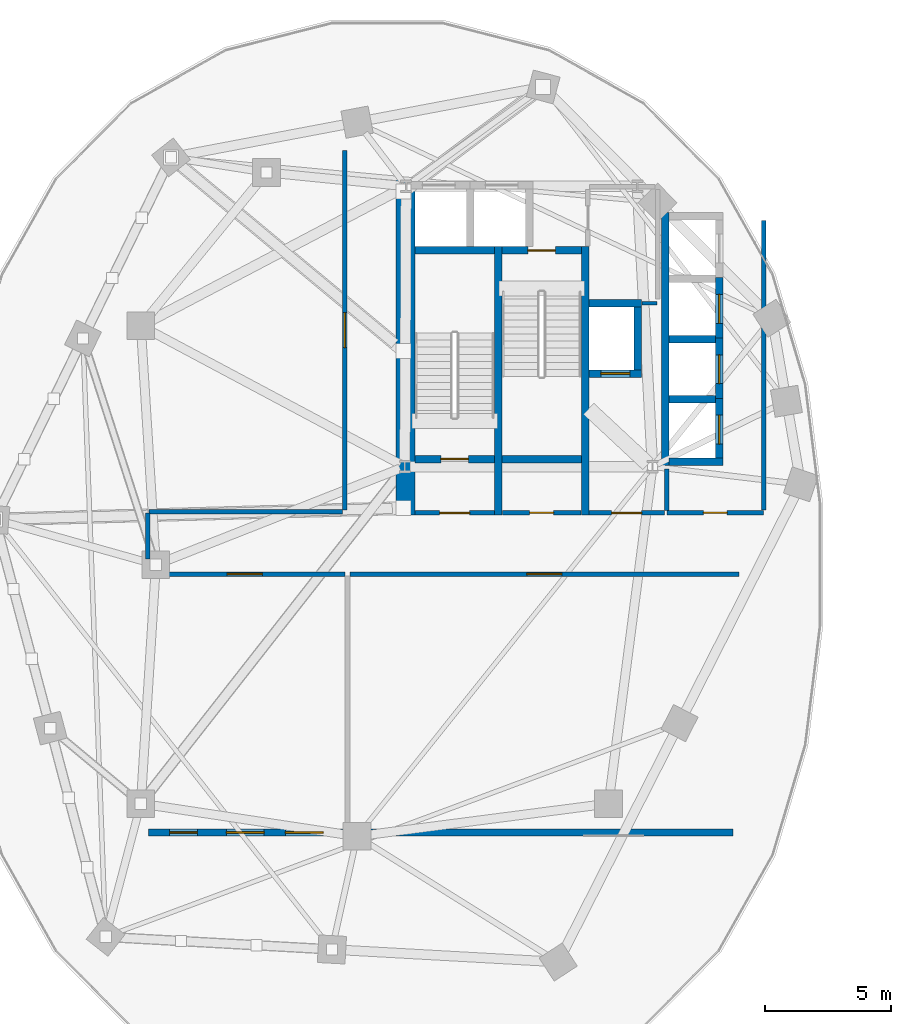
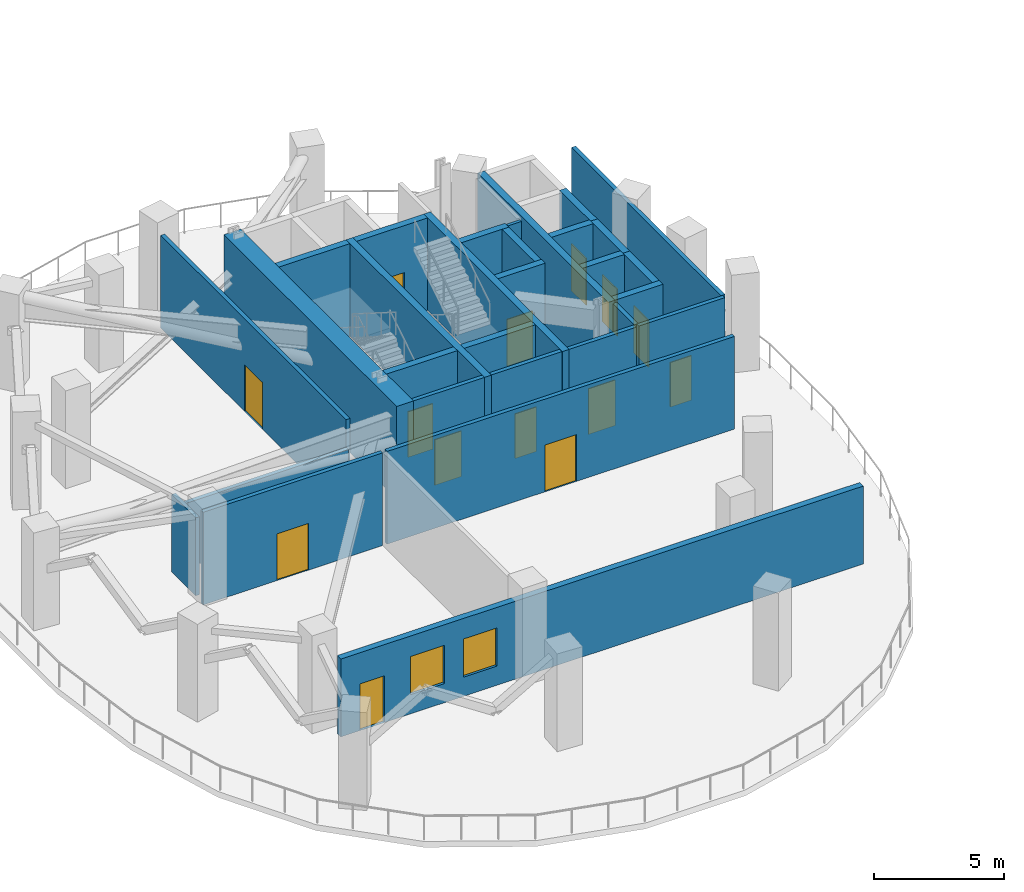
# One storey, part 5 of 12: 30 walls, 14 doors, 2 windows, 16 openings.
"""IFC4 building model written with IfcOpenShell, lengths in metres."""

from ifc_helpers import new_model, si_unit, direction, frame, frame_2d, origin, place, context, subcontext, project, spatial, rectangle, extrude, material, layer, layer_set, type_object, element, fill, save


model = new_model("IFC4")

# Units and contexts
model_context = context("Model", 3, precision=1e-05, world=origin(), true_north=direction((0.0, 1.0)))
body_context = subcontext(model_context, "Body", "Model", "MODEL_VIEW")
ifc_project = project(units=[si_unit("LENGTHUNIT", "METRE"), si_unit("AREAUNIT", "SQUARE_METRE"), si_unit("VOLUMEUNIT", "CUBIC_METRE"), si_unit("PLANEANGLEUNIT", "RADIAN"), si_unit("MASSUNIT", "GRAM", prefix="KILO"), si_unit("THERMODYNAMICTEMPERATUREUNIT", "KELVIN"), si_unit("POWERUNIT", "WATT")], contexts=[model_context])

# Site, building, storey
site_placement = place(None, origin())
site = spatial("IfcSite", under=ifc_project, at=site_placement, CompositionType="ELEMENT")
building_placement = place(site_placement, origin())
building = spatial("IfcBuilding", under=site, at=building_placement, Name="Cundina Bronze Exchange", CompositionType="ELEMENT")
storey_placement = place(building_placement, frame((0.0, 0.0, 132.199951171875)))
storey = spatial("IfcBuildingStorey", under=building, at=storey_placement, Name="L34", CompositionType="ELEMENT", Elevation=132.199951171875)

# Wall
ifc_material_1 = material(Name="Gypsum Fireboard Partition EI120")
ifc_layer_1 = layer(ifc_material_1, 0.179931640625, Name="Gypsum Fireboard Partition EI120")
ifc_layer_set_1 = layer_set([ifc_layer_1], Name="Gypsum Fireboard Partition EI120")
wall_type_1 = type_object("IfcWallType", Name="WL-COR-180", PredefinedType="PARTITIONING", material=ifc_layer_set_1)
wall_1_placement = place(storey_placement, frame((-20.889892578125, 2.14990234375, 0.0), z_axis=(0.0, 0.0, 1.0), x_axis=(0.0, 1.0, 0.0)))
element("IfcWall", 1, at=wall_1_placement, inside=storey, type_object=wall_type_1, Name="L34 W Firefighting Lobby Side Wall", PredefinedType="PARTITIONING", context=body_context, shape_type="SweptSolid", body=[
    extrude(rectangle(XDim=1.650146484375, YDim=0.179931640625, at=frame_2d((0.8251953125, 0.0))), origin(), (0.0, 0.0, 1.0), 4.360107421875),
])

# Wall, opening, door
wall_2_placement = place(storey_placement, frame((-23.97998046875, 2.06005859375, 0.0), z_axis=(0.0, 0.0, 1.0), x_axis=(1.0, 0.0, 0.0)))
wall_2 = element("IfcWall", 2, at=wall_2_placement, inside=storey, type_object=wall_type_1, Name="L34 W Firefighting Lobby Exit Wall", PredefinedType="PARTITIONING", context=body_context, shape_type="SweptSolid", body=[
    extrude(rectangle(XDim=3.0, YDim=0.179931640625, at=frame_2d((1.5, 0.0))), origin(), (0.0, 0.0, 1.0), 4.360107421875),
])
opening_1_placement = place(wall_2_placement, frame((0.89990234375, 0.0, 0.0)))
opening_1 = element("IfcOpeningElement", 3, at=opening_1_placement, cuts=wall_2, Name="Opening DF-01", PredefinedType="OPENING", context=body_context, shape_type="SweptSolid", body=[
    extrude(rectangle(XDim=1.199951171875, YDim=2.14990234375, at=frame_2d((0.60009765625, 1.074951171875))), frame((0.0, 0.099853515625, 0.0), z_axis=(0.0, -1.0, 0.0), x_axis=(1.0, 0.0, 0.0)), (0.0, 0.0, 1.0), 0.199951171875),
])
ifc_material_2 = material(Name="Steel ASTM A36 Painted", Category="steel")
door_type_1 = type_object("IfcDoorType", Name="DR-FFL-1200", OperationType="NOTDEFINED", PredefinedType="DOOR", material=ifc_material_2)
door_1_placement = place(opening_1_placement, origin())
door_1 = element("IfcDoor", 4, at=door_1_placement, inside=storey, type_object=door_type_1, Name="L34 W Firefighting Lobby Door", OperationType="SINGLE_SWING_RIGHT", OverallHeight=2.14990234375, OverallWidth=1.199951171875, PredefinedType="DOOR", context=body_context, shape_type="SweptSolid", body=[
    extrude(rectangle(XDim=1.199951171875, YDim=2.14990234375, at=frame_2d((0.60009765625, 1.074951171875))), frame((0.0, 0.02490234375, 0.0), z_axis=(0.0, -1.0, 0.0), x_axis=(1.0, 0.0, 0.0)), (0.0, 0.0, 1.0), 0.050048828125),
])
fill(opening_1, door_1)

wall_3_placement = place(storey_placement, frame((-30.89990234375, 2.06005859375, 0.0), z_axis=(0.0, 0.0, 1.0), x_axis=(1.0, 0.0, 0.0)))
wall_3 = element("IfcWall", 5, at=wall_3_placement, inside=storey, type_object=wall_type_1, Name="L34 W Stair Vestibule Exit Wall", PredefinedType="PARTITIONING", context=body_context, shape_type="SweptSolid", body=[
    extrude(rectangle(XDim=3.159912109375, YDim=0.179931640625, at=frame_2d((1.580078125, 0.0))), origin(), (0.0, 0.0, 1.0), 4.360107421875),
])
opening_2_placement = place(wall_3_placement, frame((0.97998046875, 0.0, 0.0)))
opening_2 = element("IfcOpeningElement", 6, at=opening_2_placement, cuts=wall_3, Name="Opening DF-01", PredefinedType="OPENING", context=body_context, shape_type="SweptSolid", body=[
    extrude(rectangle(XDim=1.199951171875, YDim=2.14990234375, at=frame_2d((0.60009765625, 1.074951171875))), frame((0.0, 0.099853515625, 0.0), z_axis=(0.0, -1.0, 0.0), x_axis=(1.0, 0.0, 0.0)), (0.0, 0.0, 1.0), 0.199951171875),
])
door_2_placement = place(opening_2_placement, origin())
door_2 = element("IfcDoor", 7, at=door_2_placement, inside=storey, type_object=door_type_1, Name="L34 W Stair Vestibule Door", OperationType="SINGLE_SWING_LEFT", OverallHeight=2.14990234375, OverallWidth=1.199951171875, PredefinedType="DOOR", context=body_context, shape_type="SweptSolid", body=[
    extrude(rectangle(XDim=1.199951171875, YDim=2.14990234375, at=frame_2d((0.60009765625, 1.074951171875))), frame((0.0, 0.02490234375, 0.0), z_axis=(0.0, -1.0, 0.0), x_axis=(1.0, 0.0, 0.0)), (0.0, 0.0, 1.0), 0.050048828125),
])
fill(opening_2, door_2)

# Wall
wall_4_placement = place(storey_placement, frame((-17.02001953125, 2.169921875, 0.0), z_axis=(0.0, 0.0, 1.0), x_axis=(0.0, 1.0, 0.0)))
element("IfcWall", 8, at=wall_4_placement, inside=storey, type_object=wall_type_1, Name="L34 Interior Partition 001", PredefinedType="PARTITIONING", context=body_context, shape_type="SweptSolid", body=[
    extrude(rectangle(XDim=11.510009765625, YDim=0.179931640625, at=frame_2d((5.7548828125, 0.0))), origin(), (0.0, 0.0, 1.0), 4.360107421875),
])

# Wall, opening, door
wall_5_placement = place(storey_placement, frame((-20.8701171875, 2.070068359375, 0.0), z_axis=(0.0, 0.0, 1.0), x_axis=(1.0, 0.0, 0.0)))
wall_5 = element("IfcWall", 9, at=wall_5_placement, inside=storey, type_object=wall_type_1, Name="L34 Interior Partition 002", PredefinedType="PARTITIONING", context=body_context, shape_type="SweptSolid", body=[
    extrude(rectangle(XDim=3.830078125, YDim=0.179931640625, at=frame_2d((1.9150390625, 0.0))), origin(), (0.0, 0.0, 1.0), 4.360107421875),
])
opening_3_placement = place(wall_5_placement, frame((1.43994140625, 0.0, 0.0)))
opening_3 = element("IfcOpeningElement", 10, at=opening_3_placement, cuts=wall_5, Name="Opening DW-01", PredefinedType="OPENING", context=body_context, shape_type="SweptSolid", body=[
    extrude(rectangle(XDim=0.949951171875, YDim=2.10009765625, at=frame_2d((0.47509765625, 1.050048828125))), frame((0.0, 0.099853515625, 0.0), z_axis=(0.0, -1.0, 0.0), x_axis=(1.0, 0.0, 0.0)), (0.0, 0.0, 1.0), 0.199951171875),
])
ifc_material_3 = material(Name="Solid Andean Oak Timber Grade A", Category="wood")
door_type_2 = type_object("IfcDoorType", Name="DR-WC-950", OperationType="NOTDEFINED", PredefinedType="DOOR", material=ifc_material_3)
door_3_placement = place(opening_3_placement, origin())
door_3 = element("IfcDoor", 11, at=door_3_placement, inside=storey, type_object=door_type_2, Name="L34 Interior Door 002", OperationType="SINGLE_SWING_LEFT", OverallHeight=2.10009765625, OverallWidth=0.949951171875, PredefinedType="DOOR", context=body_context, shape_type="SweptSolid", body=[
    extrude(rectangle(XDim=0.949951171875, YDim=2.10009765625, at=frame_2d((0.47509765625, 1.050048828125))), frame((0.0, 0.02490234375, 0.0), z_axis=(0.0, -1.0, 0.0), x_axis=(1.0, 0.0, 0.0)), (0.0, 0.0, 1.0), 0.050048828125),
])
fill(opening_3, door_3)

wall_6_placement = place(storey_placement, frame((-27.419921875, 2.070068359375, 0.0), z_axis=(0.0, 0.0, 1.0), x_axis=(1.0, 0.0, 0.0)))
wall_6 = element("IfcWall", 12, at=wall_6_placement, inside=storey, type_object=wall_type_1, Name="L34 Interior Partition 006", PredefinedType="PARTITIONING", context=body_context, shape_type="SweptSolid", body=[
    extrude(rectangle(XDim=3.119873046875, YDim=0.179931640625, at=frame_2d((1.56005859375, 0.0))), origin(), (0.0, 0.0, 1.0), 4.360107421875),
])
opening_4_placement = place(wall_6_placement, frame((1.0849609375, 0.0, 0.0)))
opening_4 = element("IfcOpeningElement", 13, at=opening_4_placement, cuts=wall_6, Name="Opening DW-01", PredefinedType="OPENING", context=body_context, shape_type="SweptSolid", body=[
    extrude(rectangle(XDim=0.949951171875, YDim=2.10009765625, at=frame_2d((0.47509765625, 1.050048828125))), frame((0.0, 0.099853515625, 0.0), z_axis=(0.0, -1.0, 0.0), x_axis=(1.0, 0.0, 0.0)), (0.0, 0.0, 1.0), 0.199951171875),
])
door_4_placement = place(opening_4_placement, origin())
door_4 = element("IfcDoor", 14, at=door_4_placement, inside=storey, type_object=door_type_2, Name="L34 Interior Door 006", OperationType="SINGLE_SWING_LEFT", OverallHeight=2.10009765625, OverallWidth=0.949951171875, PredefinedType="DOOR", context=body_context, shape_type="SweptSolid", body=[
    extrude(rectangle(XDim=0.949951171875, YDim=2.10009765625, at=frame_2d((0.47509765625, 1.050048828125))), frame((0.0, 0.02490234375, 0.0), z_axis=(0.0, -1.0, 0.0), x_axis=(1.0, 0.0, 0.0)), (0.0, 0.0, 1.0), 0.050048828125),
])
fill(opening_4, door_4)

wall_7_placement = place(storey_placement, frame((-33.47998046875, -0.3701171875, 0.0), z_axis=(0.0, 0.0, 1.0), x_axis=(1.0, 0.0, 0.0)))
wall_7 = element("IfcWall", 15, at=wall_7_placement, inside=storey, type_object=wall_type_1, Name="L34 Interior Partition 008", PredefinedType="PARTITIONING", context=body_context, shape_type="SweptSolid", body=[
    extrude(rectangle(XDim=15.4599609375, YDim=0.179931640625, at=frame_2d((7.72998046875, 0.0))), origin(), (0.0, 0.0, 1.0), 4.360107421875),
])
opening_5_placement = place(wall_7_placement, frame((7.030029296875, 0.0, 0.0)))
opening_5 = element("IfcOpeningElement", 16, at=opening_5_placement, cuts=wall_7, Name="Opening DP-01", PredefinedType="OPENING", context=body_context, shape_type="SweptSolid", body=[
    extrude(rectangle(XDim=1.39990234375, YDim=2.199951171875, at=frame_2d((0.699951171875, 1.10009765625))), frame((0.0, 0.099853515625, 0.0), z_axis=(0.0, -1.0, 0.0), x_axis=(1.0, 0.0, 0.0)), (0.0, 0.0, 1.0), 0.199951171875),
])
door_type_3 = type_object("IfcDoorType", Name="DR-PLT-1400", OperationType="NOTDEFINED", PredefinedType="DOOR", material=ifc_material_2)
door_5_placement = place(opening_5_placement, origin())
door_5 = element("IfcDoor", 17, at=door_5_placement, inside=storey, type_object=door_type_3, Name="L34 Interior Door 008", OperationType="SINGLE_SWING_LEFT", OverallHeight=2.199951171875, OverallWidth=1.39990234375, PredefinedType="DOOR", context=body_context, shape_type="SweptSolid", body=[
    extrude(rectangle(XDim=1.39990234375, YDim=2.199951171875, at=frame_2d((0.699951171875, 1.10009765625))), frame((0.0, 0.02490234375, 0.0), z_axis=(0.0, -1.0, 0.0), x_axis=(1.0, 0.0, 0.0)), (0.0, 0.0, 1.0), 0.050048828125),
])
fill(opening_5, door_5)

wall_8_placement = place(storey_placement, frame((-41.65869140625, -0.3701171875, 0.0), z_axis=(0.0, 0.0, 1.0), x_axis=(1.0, 0.0, 0.0)))
wall_8 = element("IfcWall", 18, at=wall_8_placement, inside=storey, type_object=wall_type_1, Name="L34 Interior Partition 009", PredefinedType="PARTITIONING", context=body_context, shape_type="SweptSolid", body=[
    extrude(rectangle(XDim=7.978759765625, YDim=0.179931640625, at=frame_2d((3.9892578125, 0.0))), origin(), (0.0, 0.0, 1.0), 4.360107421875),
])
opening_6_placement = place(wall_8_placement, frame((3.289306640625, 0.0, 0.0)))
opening_6 = element("IfcOpeningElement", 19, at=opening_6_placement, cuts=wall_8, Name="Opening DP-01", PredefinedType="OPENING", context=body_context, shape_type="SweptSolid", body=[
    extrude(rectangle(XDim=1.39990234375, YDim=2.199951171875, at=frame_2d((0.699951171875, 1.10009765625))), frame((0.0, 0.099853515625, 0.0), z_axis=(0.0, -1.0, 0.0), x_axis=(1.0, 0.0, 0.0)), (0.0, 0.0, 1.0), 0.199951171875),
])
door_6_placement = place(opening_6_placement, origin())
door_6 = element("IfcDoor", 20, at=door_6_placement, inside=storey, type_object=door_type_3, Name="L34 Interior Door 009", OperationType="SINGLE_SWING_LEFT", OverallHeight=2.199951171875, OverallWidth=1.39990234375, PredefinedType="DOOR", context=body_context, shape_type="SweptSolid", body=[
    extrude(rectangle(XDim=1.39990234375, YDim=2.199951171875, at=frame_2d((0.699951171875, 1.10009765625))), frame((0.0, 0.02490234375, 0.0), z_axis=(0.0, -1.0, 0.0), x_axis=(1.0, 0.0, 0.0)), (0.0, 0.0, 1.0), 0.050048828125),
])
fill(opening_6, door_6)

wall_9_placement = place(storey_placement, frame((-33.68994140625, 16.47998046875, 0.0), z_axis=(0.0, 0.0, 1.0), x_axis=(0.0, -1.0, 0.0)))
wall_9 = element("IfcWall", 21, at=wall_9_placement, inside=storey, type_object=wall_type_1, Name="L34 Interior Partition 010", PredefinedType="PARTITIONING", context=body_context, shape_type="SweptSolid", body=[
    extrude(rectangle(XDim=14.300048828125, YDim=0.179931640625, at=frame_2d((7.14990234375, 0.0))), origin(), (0.0, 0.0, 1.0), 4.360107421875),
])
opening_7_placement = place(wall_9_placement, frame((6.449951171875, 0.0, 0.0)))
opening_7 = element("IfcOpeningElement", 22, at=opening_7_placement, cuts=wall_9, Name="Opening DP-01", PredefinedType="OPENING", context=body_context, shape_type="SweptSolid", body=[
    extrude(rectangle(XDim=1.39990234375, YDim=2.199951171875, at=frame_2d((0.699951171875, 1.10009765625))), frame((0.0, 0.099853515625, 0.0), z_axis=(0.0, -1.0, 0.0), x_axis=(1.0, 0.0, 0.0)), (0.0, 0.0, 1.0), 0.199951171875),
])
door_7_placement = place(opening_7_placement, origin())
door_7 = element("IfcDoor", 23, at=door_7_placement, inside=storey, type_object=door_type_3, Name="L34 Interior Door 010", OperationType="SINGLE_SWING_LEFT", OverallHeight=2.199951171875, OverallWidth=1.39990234375, PredefinedType="DOOR", context=body_context, shape_type="SweptSolid", body=[
    extrude(rectangle(XDim=1.39990234375, YDim=2.199951171875, at=frame_2d((0.699951171875, 1.10009765625))), frame((0.0, 0.02490234375, 0.0), z_axis=(0.0, -1.0, 0.0), x_axis=(1.0, 0.0, 0.0)), (0.0, 0.0, 1.0), 0.050048828125),
])
fill(opening_7, door_7)

# Walls
wall_10_placement = place(storey_placement, frame((-33.77001953125, 2.10009765625, 0.0), z_axis=(0.0, 0.0, 1.0), x_axis=(-1.0, 0.0, 0.0)))
element("IfcWall", 24, at=wall_10_placement, inside=storey, type_object=wall_type_1, Name="L34 Interior Partition 011", PredefinedType="PARTITIONING", context=body_context, shape_type="SweptSolid", body=[
    extrude(rectangle(XDim=7.70849609375, YDim=0.179931640625, at=frame_2d((3.854248046875, 0.0))), origin(), (0.0, 0.0, 1.0), 3.054931640625),
])
wall_11_placement = place(storey_placement, frame((-41.52001953125, 2.05859375, 0.0), z_axis=(0.0, 0.0, 1.0), x_axis=(0.0, -1.0, 0.0)))
element("IfcWall", 25, at=wall_11_placement, inside=storey, type_object=wall_type_1, Name="L34 Interior Partition 012", PredefinedType="PARTITIONING", context=body_context, shape_type="SweptSolid", body=[
    extrude(rectangle(XDim=1.838623046875, YDim=0.179931640625, at=frame_2d((0.91943359375, 0.0))), origin(), (0.0, 0.0, 1.0), 3.6650390625),
])
ifc_material_4 = material(Name="Concrete C60/75", Category="concrete")
ifc_layer_2 = layer(ifc_material_4, 0.75, Name="Concrete C60/75", Category="concrete")
ifc_layer_set_2 = layer_set([ifc_layer_2], Name="Concrete C60/75")
wall_type_2 = type_object("IfcWallType", Name="WL-CORE-750", PredefinedType="SHEAR", material=ifc_layer_set_2)
wall_12_placement = place(storey_placement, frame((-31.27490234375, 1.969970703125, 0.0), z_axis=(0.0, 0.0, 1.0), x_axis=(0.0, 1.0, 0.0)))
element("IfcWall", 26, at=wall_12_placement, inside=storey, type_object=wall_type_2, Name="L34 W Primary Core Shear Spine Wall", PredefinedType="SHEAR", context=body_context, shape_type="SweptSolid", body=[
    extrude(rectangle(XDim=13.330078125, YDim=0.75, at=frame_2d((6.6650390625, 0.0))), origin(), (0.0, 0.0, 1.0), 4.360107421875),
])

# Wall, openings, door, windows
ifc_material_5 = material(Name="Precast Concrete C45/55", Category="concrete")
ifc_layer_3 = layer(ifc_material_5, 0.280029296875, Name="Precast Concrete C45/55", Category="concrete")
ifc_layer_set_3 = layer_set([ifc_layer_3], Name="Precast Concrete C45/55")
wall_type_3 = type_object("IfcWallType", Name="WL-EXT-280", PredefinedType="SOLIDWALL", material=ifc_layer_set_3)
wall_13_placement = place(storey_placement, frame((-41.5, -10.64990234375, 0.0), z_axis=(0.0, 0.0, 1.0), x_axis=(1.0, 0.0, 0.0)))
wall_13 = element("IfcWall", 27, at=wall_13_placement, inside=storey, type_object=wall_type_3, Name="L34 Leg W Refuge Veranda Weather Wall", PredefinedType="SOLIDWALL", context=body_context, shape_type="SweptSolid", body=[
    extrude(rectangle(XDim=23.25, YDim=0.280029296875, at=frame_2d((11.625, 0.0))), origin(), (0.0, 0.0, 1.0), 3.6650390625),
])
opening_8_placement = place(wall_13_placement, frame((0.85009765625, 0.0, 0.0)))
opening_8 = element("IfcOpeningElement", 28, at=opening_8_placement, cuts=wall_13, Name="Opening DT-01", PredefinedType="OPENING", context=body_context, shape_type="SweptSolid", body=[
    extrude(rectangle(XDim=1.10009765625, YDim=2.199951171875, at=frame_2d((0.550048828125, 1.10009765625))), frame((0.0, 0.14990234375, 0.0), z_axis=(0.0, -1.0, 0.0), x_axis=(1.0, 0.0, 0.0)), (0.0, 0.0, 1.0), 0.300048828125),
])
opening_9_placement = place(wall_13_placement, frame((3.10009765625, 0.0, 0.89990234375)))
opening_9 = element("IfcOpeningElement", 29, at=opening_9_placement, cuts=wall_13, Name="Opening W-03", PredefinedType="OPENING", context=body_context, shape_type="SweptSolid", body=[
    extrude(rectangle(XDim=1.5, YDim=1.800048828125, at=frame_2d((0.75, 0.89990234375))), frame((0.0, 0.14990234375, 0.0), z_axis=(0.0, -1.0, 0.0), x_axis=(1.0, 0.0, 0.0)), (0.0, 0.0, 1.0), 0.300048828125),
])
opening_10_placement = place(wall_13_placement, frame((5.449951171875, 0.0, 0.89990234375)))
opening_10 = element("IfcOpeningElement", 30, at=opening_10_placement, cuts=wall_13, Name="Opening W-03", PredefinedType="OPENING", context=body_context, shape_type="SweptSolid", body=[
    extrude(rectangle(XDim=1.5, YDim=1.800048828125, at=frame_2d((0.75, 0.89990234375))), frame((0.0, 0.14990234375, 0.0), z_axis=(0.0, -1.0, 0.0), x_axis=(1.0, 0.0, 0.0)), (0.0, 0.0, 1.0), 0.300048828125),
])
ifc_material_6 = material(Name="Anodised Bronze Aluminium 6063-T6", Category="aluminium")
door_type_4 = type_object("IfcDoorType", Name="DR-TER-1100", OperationType="NOTDEFINED", PredefinedType="DOOR", material=ifc_material_6)
door_8_placement = place(opening_8_placement, origin())
door_8 = element("IfcDoor", 31, at=door_8_placement, inside=storey, type_object=door_type_4, Name="L34 Leg W Open Refuge Veranda Door", OperationType="SINGLE_SWING_LEFT", OverallHeight=2.199951171875, OverallWidth=1.10009765625, PredefinedType="DOOR", context=body_context, shape_type="SweptSolid", body=[
    extrude(rectangle(XDim=1.10009765625, YDim=2.199951171875, at=frame_2d((0.550048828125, 1.10009765625))), frame((0.0, 0.02490234375, 0.0), z_axis=(0.0, -1.0, 0.0), x_axis=(1.0, 0.0, 0.0)), (0.0, 0.0, 1.0), 0.050048828125),
])
fill(opening_8, door_8)
ifc_material_7 = material(Name="Heat-Strengthened Solar-Control Bronze Safety Glass 28mm", Category="glass")
window_type = type_object("IfcWindowType", Name="WN-REF-1500", PartitioningType="SINGLE_PANEL", PredefinedType="WINDOW", material=ifc_material_7)
window_1_placement = place(opening_9_placement, origin())
window_1 = element("IfcWindow", 32, at=window_1_placement, inside=storey, type_object=window_type, Name="L34 Leg W Refuge Plant Window 1", OverallHeight=1.800048828125, OverallWidth=1.5, PartitioningType="SINGLE_PANEL", PredefinedType="WINDOW", context=body_context, shape_type="SweptSolid", body=[
    extrude(rectangle(XDim=1.5, YDim=1.800048828125, at=frame_2d((0.75, 0.89990234375))), frame((0.0, 0.030029296875, 0.0), z_axis=(0.0, -1.0, 0.0), x_axis=(1.0, 0.0, 0.0)), (0.0, 0.0, 1.0), 0.06005859375),
])
fill(opening_9, window_1)
window_2_placement = place(opening_10_placement, origin())
window_2 = element("IfcWindow", 33, at=window_2_placement, inside=storey, type_object=window_type, Name="L34 Leg W Refuge Plant Window 2", OverallHeight=1.800048828125, OverallWidth=1.5, PartitioningType="SINGLE_PANEL", PredefinedType="WINDOW", context=body_context, shape_type="SweptSolid", body=[
    extrude(rectangle(XDim=1.5, YDim=1.800048828125, at=frame_2d((0.75, 0.89990234375))), frame((0.0, 0.030029296875, 0.0), z_axis=(0.0, -1.0, 0.0), x_axis=(1.0, 0.0, 0.0)), (0.0, 0.0, 1.0), 0.06005859375),
])
fill(opening_10, window_2)

# Walls
ifc_material_8 = material(Name="Concrete C50/60", Category="concrete")
ifc_layer_4 = layer(ifc_material_8, 0.300048828125, Name="Concrete C50/60", Category="concrete")
ifc_layer_set_4 = layer_set([ifc_layer_4], Name="Concrete C50/60")
wall_type_4 = type_object("IfcWallType", Name="WL-SHFT-300", PredefinedType="SHEAR", material=ifc_layer_set_4)
for number, where, z_axis, x_axis, name in (
    (34, (-27.590087890625, 1.969970703125, 0.0), (0.0, 0.0, 1.0), (0.0, 1.0, 0.0), "L34 W Stair Shaft Dividing Shear Wall"),
    (35, (-24.1298828125, 1.969970703125, 0.0), (0.0, 0.0, 1.0), (0.0, 1.0, 0.0), "L34 W Stair 2 East Shear Wall"),
):
    element("IfcWall", number, at=place(storey_placement, frame(where, z_axis=z_axis, x_axis=x_axis)), inside=storey, type_object=wall_type_4, Name=name, PredefinedType="SHEAR", context=body_context, shape_type="SweptSolid", body=[
        extrude(rectangle(XDim=10.679931640625, YDim=0.300048828125, at=frame_2d((5.33984375, 0.0))), origin(), (0.0, 0.0, 1.0), 4.360107421875),
    ])

# Wall, opening, door
wall_14_placement = place(storey_placement, frame((-30.89990234375, 4.199951171875, 0.0), z_axis=(0.0, 0.0, 1.0), x_axis=(1.0, 0.0, 0.0)))
wall_14 = element("IfcWall", 36, at=wall_14_placement, inside=storey, type_object=wall_type_4, Name="L34 Stair W1 Landing Wall", PredefinedType="SHEAR", context=body_context, shape_type="SweptSolid", body=[
    extrude(rectangle(XDim=3.159912109375, YDim=0.300048828125, at=frame_2d((1.580078125, 0.0))), origin(), (0.0, 0.0, 1.0), 4.360107421875),
])
opening_11_placement = place(wall_14_placement, frame((1.030029296875, 0.0, 0.0)))
opening_11 = element("IfcOpeningElement", 37, at=opening_11_placement, cuts=wall_14, Name="Opening DS-01", PredefinedType="OPENING", context=body_context, shape_type="SweptSolid", body=[
    extrude(rectangle(XDim=1.10009765625, YDim=2.14990234375, at=frame_2d((0.550048828125, 1.074951171875))), frame((0.0, 0.159912109375, 0.0), z_axis=(0.0, -1.0, 0.0), x_axis=(1.0, 0.0, 0.0)), (0.0, 0.0, 1.0), 0.320068359375),
])
door_type_5 = type_object("IfcDoorType", Name="DR-STR-1100", OperationType="NOTDEFINED", PredefinedType="DOOR", material=ifc_material_2)
door_9_placement = place(opening_11_placement, origin())
door_9 = element("IfcDoor", 38, at=door_9_placement, inside=storey, type_object=door_type_5, Name="L34 Smokeproof Stair W1 Door", OperationType="SINGLE_SWING_RIGHT", OverallHeight=2.14990234375, OverallWidth=1.10009765625, PredefinedType="DOOR", context=body_context, shape_type="SweptSolid", body=[
    extrude(rectangle(XDim=1.10009765625, YDim=2.14990234375, at=frame_2d((0.550048828125, 1.074951171875))), frame((0.0, 0.02490234375, 0.0), z_axis=(0.0, -1.0, 0.0), x_axis=(1.0, 0.0, 0.0)), (0.0, 0.0, 1.0), 0.050048828125),
])
fill(opening_11, door_9)

# Wall
wall_15_placement = place(storey_placement, frame((-30.89990234375, 12.5, 0.0), z_axis=(0.0, 0.0, 1.0), x_axis=(1.0, 0.0, 0.0)))
element("IfcWall", 39, at=wall_15_placement, inside=storey, type_object=wall_type_4, Name="L34 Stair W1 Far Shaft Wall", PredefinedType="SHEAR", context=body_context, shape_type="SweptSolid", body=[
    extrude(rectangle(XDim=3.159912109375, YDim=0.300048828125, at=frame_2d((1.580078125, 0.0))), origin(), (0.0, 0.0, 1.0), 4.360107421875),
])

# Wall, opening, door
wall_16_placement = place(storey_placement, frame((-27.43994140625, 12.5, 0.0), z_axis=(0.0, 0.0, 1.0), x_axis=(1.0, 0.0, 0.0)))
wall_16 = element("IfcWall", 40, at=wall_16_placement, inside=storey, type_object=wall_type_4, Name="L34 Stair W2 Landing Wall", PredefinedType="SHEAR", context=body_context, shape_type="SweptSolid", body=[
    extrude(rectangle(XDim=3.159912109375, YDim=0.300048828125, at=frame_2d((1.580078125, 0.0))), origin(), (0.0, 0.0, 1.0), 4.360107421875),
])
opening_12_placement = place(wall_16_placement, frame((1.030029296875, 0.0, 0.0)))
opening_12 = element("IfcOpeningElement", 41, at=opening_12_placement, cuts=wall_16, Name="Opening DS-01", PredefinedType="OPENING", context=body_context, shape_type="SweptSolid", body=[
    extrude(rectangle(XDim=1.10009765625, YDim=2.14990234375, at=frame_2d((0.550048828125, 1.074951171875))), frame((0.0, 0.159912109375, 0.0), z_axis=(0.0, -1.0, 0.0), x_axis=(1.0, 0.0, 0.0)), (0.0, 0.0, 1.0), 0.320068359375),
])
door_10_placement = place(opening_12_placement, origin())
door_10 = element("IfcDoor", 42, at=door_10_placement, inside=storey, type_object=door_type_5, Name="L34 Smokeproof Stair W2 Door", OperationType="SINGLE_SWING_LEFT", OverallHeight=2.14990234375, OverallWidth=1.10009765625, PredefinedType="DOOR", context=body_context, shape_type="SweptSolid", body=[
    extrude(rectangle(XDim=1.10009765625, YDim=2.14990234375, at=frame_2d((0.550048828125, 1.074951171875))), frame((0.0, 0.02490234375, 0.0), z_axis=(0.0, -1.0, 0.0), x_axis=(1.0, 0.0, 0.0)), (0.0, 0.0, 1.0), 0.050048828125),
])
fill(opening_12, door_10)

# Wall
wall_17_placement = place(storey_placement, frame((-27.43994140625, 4.199951171875, 0.0), z_axis=(0.0, 0.0, 1.0), x_axis=(1.0, 0.0, 0.0)))
element("IfcWall", 43, at=wall_17_placement, inside=storey, type_object=wall_type_4, Name="L34 Stair W2 Far Shaft Wall", PredefinedType="SHEAR", context=body_context, shape_type="SweptSolid", body=[
    extrude(rectangle(XDim=3.159912109375, YDim=0.300048828125, at=frame_2d((1.580078125, 0.0))), origin(), (0.0, 0.0, 1.0), 4.360107421875),
])

# Wall, opening, door
wall_18_placement = place(storey_placement, frame((-23.97998046875, 7.60009765625, 0.0), z_axis=(0.0, 0.0, 1.0), x_axis=(1.0, 0.0, 0.0)))
wall_18 = element("IfcWall", 44, at=wall_18_placement, inside=storey, type_object=wall_type_4, Name="L34 FFL-W Hoistway Front Wall", PredefinedType="SHEAR", context=body_context, shape_type="SweptSolid", body=[
    extrude(rectangle(XDim=2.10009765625, YDim=0.300048828125, at=frame_2d((1.050048828125, 0.0))), origin(), (0.0, 0.0, 1.0), 4.360107421875),
])
opening_13_placement = place(wall_18_placement, frame((0.47509765625, 0.0, 0.0)))
opening_13 = element("IfcOpeningElement", 45, at=opening_13_placement, cuts=wall_18, Name="Opening LD-01", PredefinedType="OPENING", context=body_context, shape_type="SweptSolid", body=[
    extrude(rectangle(XDim=1.14990234375, YDim=2.199951171875, at=frame_2d((0.574951171875, 1.10009765625))), frame((0.0, 0.159912109375, 0.0), z_axis=(0.0, -1.0, 0.0), x_axis=(1.0, 0.0, 0.0)), (0.0, 0.0, 1.0), 0.320068359375),
])
door_type_6 = type_object("IfcDoorType", Name="DR-LND-1150", OperationType="NOTDEFINED", PredefinedType="TRAPDOOR", material=ifc_material_2)
door_11_placement = place(opening_13_placement, origin())
door_11 = element("IfcDoor", 46, at=door_11_placement, inside=storey, type_object=door_type_6, Name="L34 FFL-W Sliding Landing Door", OperationType="SLIDING_TO_LEFT", OverallHeight=2.199951171875, OverallWidth=1.14990234375, PredefinedType="TRAPDOOR", context=body_context, shape_type="SweptSolid", body=[
    extrude(rectangle(XDim=1.14990234375, YDim=2.199951171875, at=frame_2d((0.574951171875, 1.10009765625))), frame((0.0, 0.02490234375, 0.0), z_axis=(0.0, -1.0, 0.0), x_axis=(1.0, 0.0, 0.0)), (0.0, 0.0, 1.0), 0.050048828125),
])
fill(opening_13, door_11)

# Walls
wall_19_placement = place(storey_placement, frame((-23.97998046875, 10.39990234375, 0.0), z_axis=(0.0, 0.0, 1.0), x_axis=(1.0, 0.0, 0.0)))
element("IfcWall", 47, at=wall_19_placement, inside=storey, type_object=wall_type_4, Name="L34 FFL-W Hoistway Back Wall", PredefinedType="SHEAR", context=body_context, shape_type="SweptSolid", body=[
    extrude(rectangle(XDim=2.10009765625, YDim=0.300048828125, at=frame_2d((1.050048828125, 0.0))), origin(), (0.0, 0.0, 1.0), 4.360107421875),
])
wall_20_placement = place(storey_placement, frame((-22.030029296875, 7.75, 0.0), z_axis=(0.0, 0.0, 1.0), x_axis=(0.0, 1.0, 0.0)))
element("IfcWall", 48, at=wall_20_placement, inside=storey, type_object=wall_type_4, Name="L34 FFL-W Hoistway Side Wall", PredefinedType="SHEAR", context=body_context, shape_type="SweptSolid", body=[
    extrude(rectangle(XDim=2.5, YDim=0.300048828125, at=frame_2d((1.25, 0.0))), origin(), (0.0, 0.0, 1.0), 4.360107421875),
])
wall_21_placement = place(storey_placement, frame((-20.949951171875, 3.949951171875, 0.0), z_axis=(0.0, 0.0, 1.0), x_axis=(0.0, 1.0, 0.0)))
element("IfcWall", 49, at=wall_21_placement, inside=storey, type_object=wall_type_4, Name="L34 W Passenger Bank Hoistway Back Wall", PredefinedType="SHEAR", context=body_context, shape_type="SweptSolid", body=[
    extrude(rectangle(XDim=10.050048828125, YDim=0.300048828125, at=frame_2d((5.02490234375, 0.0))), origin(), (0.0, 0.0, 1.0), 4.360107421875),
])
wall_22_placement = place(storey_placement, frame((-20.800048828125, 4.10009765625, 0.0), z_axis=(0.0, 0.0, 1.0), x_axis=(1.0, 0.0, 0.0)))
element("IfcWall", 50, at=wall_22_placement, inside=storey, type_object=wall_type_4, Name="L34 W Passenger Bank South Cap Wall", PredefinedType="SHEAR", context=body_context, shape_type="SweptSolid", body=[
    extrude(rectangle(XDim=2.150146484375, YDim=0.300048828125, at=frame_2d((1.0751953125, 0.0))), origin(), (0.0, 0.0, 1.0), 4.360107421875),
])
for number, where, z_axis, x_axis, name in (
    (51, (-20.800048828125, 6.574951171875, 0.0), (0.0, 0.0, 1.0), (1.0, 0.0, 0.0), "L34 W Passenger Hoistway Divider 1"),
    (52, (-20.800048828125, 8.97509765625, 0.0), (0.0, 0.0, 1.0), (1.0, 0.0, 0.0), "L34 W Passenger Hoistway Divider 2"),
):
    element("IfcWall", number, at=place(storey_placement, frame(where, z_axis=z_axis, x_axis=x_axis)), inside=storey, type_object=wall_type_4, Name=name, PredefinedType="SHEAR", context=body_context, shape_type="SweptSolid", body=[
        extrude(rectangle(XDim=1.85009765625, YDim=0.300048828125, at=frame_2d((0.925048828125, 0.0))), origin(), (0.0, 0.0, 1.0), 4.360107421875),
    ])

# Wall, opening, door
wall_23_placement = place(storey_placement, frame((-18.800048828125, 4.1298828125, 0.0), z_axis=(0.0, 0.0, 1.0), x_axis=(0.0, 1.0, 0.0)))
wall_23 = element("IfcWall", 53, at=wall_23_placement, inside=storey, type_object=wall_type_4, Name="L34 PL-W2 Hoistway Front Wall", PredefinedType="SHEAR", context=body_context, shape_type="SweptSolid", body=[
    extrude(rectangle(XDim=2.490234375, YDim=0.300048828125, at=frame_2d((1.2451171875, 0.0))), origin(), (0.0, 0.0, 1.0), 4.360107421875),
])
opening_14_placement = place(wall_23_placement, frame((0.669921875, 0.0, 0.0)))
opening_14 = element("IfcOpeningElement", 54, at=opening_14_placement, cuts=wall_23, Name="Opening LD-01", PredefinedType="OPENING", context=body_context, shape_type="SweptSolid", body=[
    extrude(rectangle(XDim=1.14990234375, YDim=2.199951171875, at=frame_2d((0.574951171875, 1.10009765625))), frame((0.0, 0.159912109375, 0.0), z_axis=(0.0, -1.0, 0.0), x_axis=(1.0, 0.0, 0.0)), (0.0, 0.0, 1.0), 0.320068359375),
])
door_12_placement = place(opening_14_placement, origin())
door_12 = element("IfcDoor", 55, at=door_12_placement, inside=storey, type_object=door_type_6, Name="L34 PL-W2 Sliding Landing Door", OperationType="SLIDING_TO_LEFT", OverallHeight=2.199951171875, OverallWidth=1.14990234375, PredefinedType="TRAPDOOR", context=body_context, shape_type="SweptSolid", body=[
    extrude(rectangle(XDim=1.14990234375, YDim=2.199951171875, at=frame_2d((0.574951171875, 1.10009765625))), frame((0.0, 0.02490234375, 0.0), z_axis=(0.0, -1.0, 0.0), x_axis=(1.0, 0.0, 0.0)), (0.0, 0.0, 1.0), 0.050048828125),
])
fill(opening_14, door_12)

wall_24_placement = place(storey_placement, frame((-18.800048828125, 6.530029296875, 0.0), z_axis=(0.0, 0.0, 1.0), x_axis=(0.0, 1.0, 0.0)))
wall_24 = element("IfcWall", 56, at=wall_24_placement, inside=storey, type_object=wall_type_4, Name="L34 PL-W1 Hoistway Front Wall", PredefinedType="SHEAR", context=body_context, shape_type="SweptSolid", body=[
    extrude(rectangle(XDim=2.489990234375, YDim=0.300048828125, at=frame_2d((1.2451171875, 0.0))), origin(), (0.0, 0.0, 1.0), 4.360107421875),
])
opening_15_placement = place(wall_24_placement, frame((0.669921875, 0.0, 0.0)))
opening_15 = element("IfcOpeningElement", 57, at=opening_15_placement, cuts=wall_24, Name="Opening LD-01", PredefinedType="OPENING", context=body_context, shape_type="SweptSolid", body=[
    extrude(rectangle(XDim=1.14990234375, YDim=2.199951171875, at=frame_2d((0.574951171875, 1.10009765625))), frame((0.0, 0.159912109375, 0.0), z_axis=(0.0, -1.0, 0.0), x_axis=(1.0, 0.0, 0.0)), (0.0, 0.0, 1.0), 0.320068359375),
])
door_13_placement = place(opening_15_placement, origin())
door_13 = element("IfcDoor", 58, at=door_13_placement, inside=storey, type_object=door_type_6, Name="L34 PL-W1 Sliding Landing Door", OperationType="SLIDING_TO_LEFT", OverallHeight=2.199951171875, OverallWidth=1.14990234375, PredefinedType="TRAPDOOR", context=body_context, shape_type="SweptSolid", body=[
    extrude(rectangle(XDim=1.14990234375, YDim=2.199951171875, at=frame_2d((0.574951171875, 1.10009765625))), frame((0.0, 0.02490234375, 0.0), z_axis=(0.0, -1.0, 0.0), x_axis=(1.0, 0.0, 0.0)), (0.0, 0.0, 1.0), 0.050048828125),
])
fill(opening_15, door_13)

wall_25_placement = place(storey_placement, frame((-18.800048828125, 8.929931640625, 0.0), z_axis=(0.0, 0.0, 1.0), x_axis=(0.0, 1.0, 0.0)))
wall_25 = element("IfcWall", 59, at=wall_25_placement, inside=storey, type_object=wall_type_4, Name="L34 PM-W2 Hoistway Front Wall", PredefinedType="SHEAR", context=body_context, shape_type="SweptSolid", body=[
    extrude(rectangle(XDim=2.489990234375, YDim=0.300048828125, at=frame_2d((1.2451171875, 0.0))), origin(), (0.0, 0.0, 1.0), 4.360107421875),
])
opening_16_placement = place(wall_25_placement, frame((0.669921875, 0.0, 0.0)))
opening_16 = element("IfcOpeningElement", 60, at=opening_16_placement, cuts=wall_25, Name="Opening LD-01", PredefinedType="OPENING", context=body_context, shape_type="SweptSolid", body=[
    extrude(rectangle(XDim=1.14990234375, YDim=2.199951171875, at=frame_2d((0.574951171875, 1.10009765625))), frame((0.0, 0.159912109375, 0.0), z_axis=(0.0, -1.0, 0.0), x_axis=(1.0, 0.0, 0.0)), (0.0, 0.0, 1.0), 0.320068359375),
])
door_14_placement = place(opening_16_placement, origin())
door_14 = element("IfcDoor", 61, at=door_14_placement, inside=storey, type_object=door_type_6, Name="L34 PM-W2 Sliding Landing Door", OperationType="SLIDING_TO_LEFT", OverallHeight=2.199951171875, OverallWidth=1.14990234375, PredefinedType="TRAPDOOR", context=body_context, shape_type="SweptSolid", body=[
    extrude(rectangle(XDim=1.14990234375, YDim=2.199951171875, at=frame_2d((0.574951171875, 1.10009765625))), frame((0.0, 0.02490234375, 0.0), z_axis=(0.0, -1.0, 0.0), x_axis=(1.0, 0.0, 0.0)), (0.0, 0.0, 1.0), 0.050048828125),
])
fill(opening_16, door_14)

# Wall
ifc_material_9 = material(Name="Moisture-Resistant Masonry Block Grade M15", Category="masonry")
ifc_layer_5 = layer(ifc_material_9, 0.139892578125, Name="Moisture-Resistant Masonry Block Grade M15", Category="masonry")
ifc_layer_set_5 = layer_set([ifc_layer_5], Name="Moisture-Resistant Masonry Block Grade M15")
wall_type_5 = type_object("IfcWallType", Name="WL-WET-140", PredefinedType="PARTITIONING", material=ifc_layer_set_5)
wall_26_placement = place(storey_placement, frame((-21.860107421875, 10.39990234375, 0.0), z_axis=(0.0, 0.0, 1.0), x_axis=(1.0, 0.0, 0.0)))
element("IfcWall", 62, at=wall_26_placement, inside=storey, type_object=wall_type_5, Name="L34 Interior Partition 003", PredefinedType="PARTITIONING", context=body_context, shape_type="SweptSolid", body=[
    extrude(rectangle(XDim=0.590087890625, YDim=0.139892578125, at=frame_2d((0.294921875, 0.0))), origin(), (0.0, 0.0, 1.0), 4.360107421875),
])

save(model, "model.ifc")
